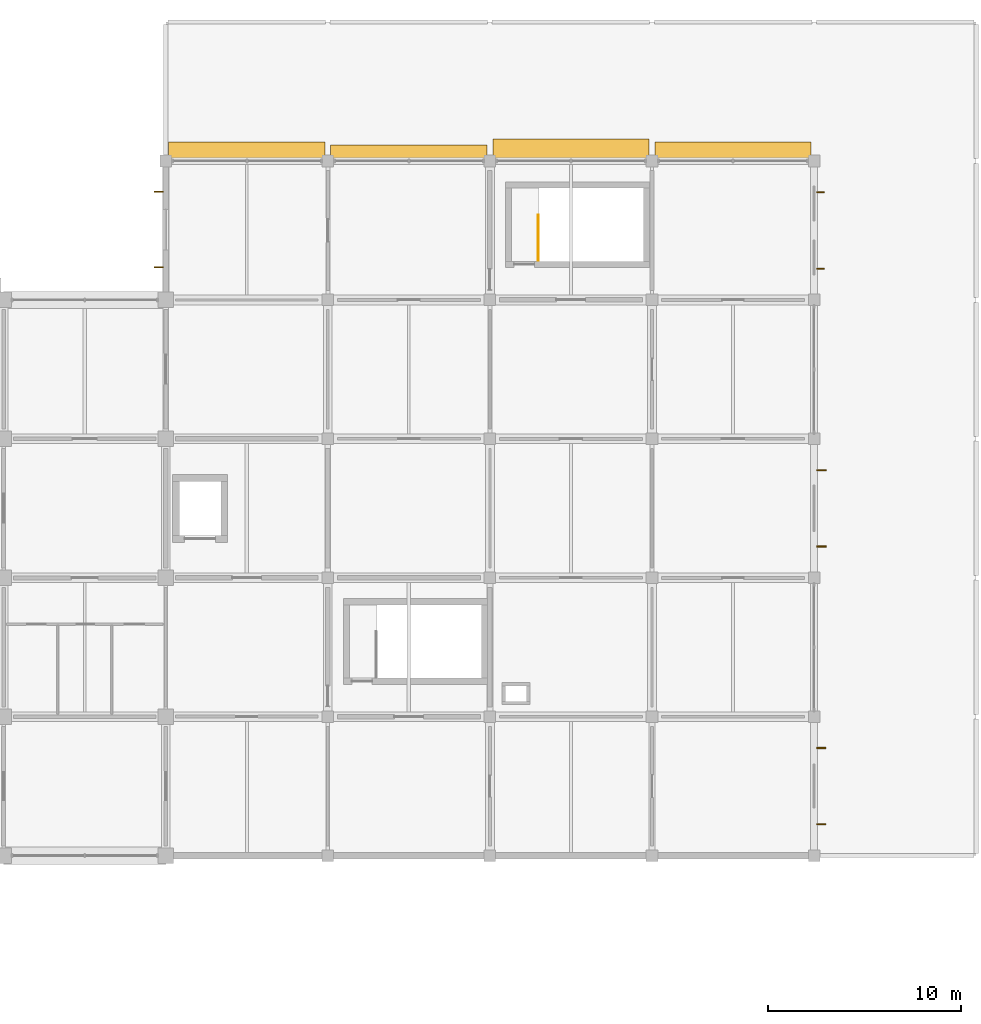
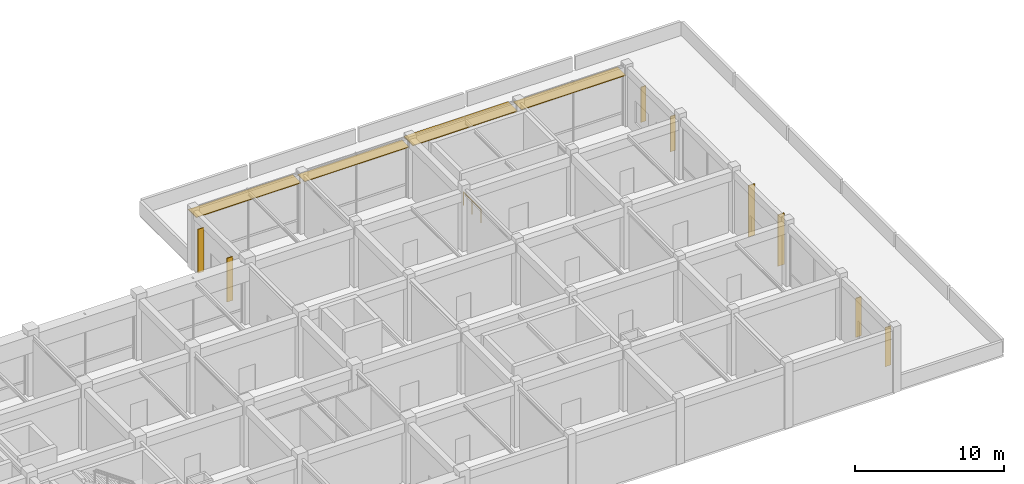
# One storey, part 38 of 38: 12 shading devices, 1 railing.
"""IFC4 building model written with IfcOpenShell, lengths in metres."""

from ifc_helpers import new_model, si_unit, derived_unit, direction, frame, origin, origin_2d, place, context, subcontext, project, spatial, rectangle, circle, extrude, material, layer, layer_set, type_object, element, save


model = new_model("IFC4")

# Units and contexts
model_context = context("Model", 3, precision=1e-05, world=origin(), true_north=direction((0.0, 1.0)))
body_context = subcontext(model_context, "Body", "Model", "MODEL_VIEW")
ifc_project = project(units=[si_unit("LENGTHUNIT", "METRE"), si_unit("AREAUNIT", "SQUARE_METRE"), si_unit("VOLUMEUNIT", "CUBIC_METRE"), si_unit("PLANEANGLEUNIT", "RADIAN"), si_unit("MASSUNIT", "GRAM", prefix="KILO"), derived_unit("THERMALTRANSMITTANCEUNIT", [(si_unit("MASSUNIT", "GRAM", prefix="KILO"), 1), (si_unit("TIMEUNIT", "SECOND"), -3), (si_unit("THERMODYNAMICTEMPERATUREUNIT", "KELVIN"), -1)])], contexts=[model_context])

# Site, building, storey
site_placement = place(None, origin())
site = spatial("IfcSite", under=ifc_project, at=site_placement, CompositionType="ELEMENT")
building_placement = place(site_placement, origin())
building = spatial("IfcBuilding", under=site, at=building_placement, Name="Veldstrom Oceanarium and Marine Research Institute", CompositionType="ELEMENT")
storey_placement = place(building_placement, frame((0.0, 0.0, 16.800048828125)))
storey = spatial("IfcBuildingStorey", under=building, at=storey_placement, Name="L03", CompositionType="ELEMENT", Elevation=16.800048828125)

# Railing
ifc_material_1 = material(Name="Duplex Stainless Steel Balustrade", Category="steel")
ifc_layer_1 = layer(ifc_material_1, 0.06005859375)
ifc_layer_set_1 = layer_set([ifc_layer_1], Name="ARC-RLG-GR1")
railing_type = type_object("IfcRailingType", Name="ARC-RLG-GR1", PredefinedType="GUARDRAIL", material=ifc_layer_set_1)
railing_placement = place(storey_placement, frame((136.89990234375, 74.050048828125, 0.0)))
element("IfcRailing", 1, at=railing_placement, inside=storey, type_object=railing_type, Name="Stair Well Landing Guard ST7 L03", PredefinedType="GUARDRAIL", context=body_context, shape_type="SweptSolid", body=[
    extrude(circle(Radius=0.02392578125, at=origin_2d()), frame((0.0, 0.0, 1.09619140625), z_axis=(0.0, 1.0, 0.0), x_axis=(-1.0, 0.0, 0.0)), (0.0, 0.0, 1.0), 2.349853515625),
    extrude(circle(Radius=0.02099609375, at=origin_2d()), origin(), (0.0, 0.0, 1.0), 1.072021484375),
    extrude(circle(Radius=0.02099609375, at=origin_2d()), frame((0.0, 1.1748046875, 0.0)), (0.0, 0.0, 1.0), 1.072021484375),
    extrude(circle(Radius=0.02099609375, at=origin_2d()), frame((0.0, 2.349853515625, 0.0)), (0.0, 0.0, 1.0), 1.072021484375),
])

# Shading devices
ifc_material_2 = material(Name="Precast Terracotta Brise-Soleil Louvre", Category="masonry")
ifc_layer_2 = layer(ifc_material_2, 3.60009765625)
ifc_layer_set_2 = layer_set([ifc_layer_2], Name="ARC-SHD-BS01")
shading_device_type_1 = type_object("IfcShadingDeviceType", Name="ARC-SHD-BS01", PredefinedType="JALOUSIE", material=ifc_layer_set_2)
for number, where, z_axis, x_axis, name in (
    (2, (117.235107421875, 73.699951171875, 0.6748046875), (0.0, 0.0, 1.0), (1.0, 0.0, 0.0), "Terracotta Brise-Soleil Louvre L03-092"),
    (3, (117.235107421875, 77.60009765625, 0.6748046875), (0.0, 0.0, 1.0), (1.0, 0.0, 0.0), "Terracotta Brise-Soleil Louvre L03-092"),
):
    element("IfcShadingDevice", number, at=place(storey_placement, frame(where, z_axis=z_axis, x_axis=x_axis)), inside=storey, type_object=shading_device_type_1, Name=name, PredefinedType="JALOUSIE", context=body_context, shape_type="SweptSolid", body=[
        extrude(rectangle(XDim=0.449951171875, YDim=0.06005859375, at=origin_2d()), origin(), (0.0, 0.0, 1.0), 3.60009765625),
    ])
ifc_material_3 = material(Name="Precast Terracotta Brise-Soleil Louvre", Category="masonry")
ifc_layer_3 = layer(ifc_material_3, 3.199951171875)
ifc_layer_set_3 = layer_set([ifc_layer_3], Name="ARC-SHD-BS02")
shading_device_type_2 = type_object("IfcShadingDeviceType", Name="ARC-SHD-BS02", PredefinedType="JALOUSIE", material=ifc_layer_set_3)
for number, where, z_axis, x_axis, name in (
    (4, (151.574951171875, 44.820068359375, 0.875), (0.0, 0.0, 1.0), (1.0, 0.0, 0.0), "Terracotta Brise-Soleil Louvre L03-093"),
    (5, (151.574951171875, 48.780029296875, 0.875), (0.0, 0.0, 1.0), (1.0, 0.0, 0.0), "Terracotta Brise-Soleil Louvre L03-093"),
):
    element("IfcShadingDevice", number, at=place(storey_placement, frame(where, z_axis=z_axis, x_axis=x_axis)), inside=storey, type_object=shading_device_type_2, Name=name, PredefinedType="JALOUSIE", context=body_context, shape_type="SweptSolid", body=[
        extrude(rectangle(XDim=0.449951171875, YDim=0.06005859375, at=origin_2d()), origin(), (0.0, 0.0, 1.0), 3.199951171875),
    ])
ifc_material_4 = material(Name="Precast Terracotta Brise-Soleil Louvre", Category="masonry")
ifc_layer_4 = layer(ifc_material_4, 4.199951171875)
ifc_layer_set_4 = layer_set([ifc_layer_4], Name="ARC-SHD-BS03")
shading_device_type_3 = type_object("IfcShadingDeviceType", Name="ARC-SHD-BS03", PredefinedType="JALOUSIE", material=ifc_layer_set_4)
for number, where, z_axis, x_axis, name in (
    (6, (151.590087890625, 59.219970703125, 0.375), (0.0, 0.0, 1.0), (1.0, 0.0, 0.0), "Terracotta Brise-Soleil Louvre L03-094"),
    (7, (151.590087890625, 63.179931640625, 0.375), (0.0, 0.0, 1.0), (1.0, 0.0, 0.0), "Terracotta Brise-Soleil Louvre L03-094"),
):
    element("IfcShadingDevice", number, at=place(storey_placement, frame(where, z_axis=z_axis, x_axis=x_axis)), inside=storey, type_object=shading_device_type_3, Name=name, PredefinedType="JALOUSIE", context=body_context, shape_type="SweptSolid", body=[
        extrude(rectangle(XDim=0.5, YDim=0.06494140625, at=origin_2d()), origin(), (0.0, 0.0, 1.0), 4.199951171875),
    ])
ifc_material_5 = material(Name="Precast Terracotta Brise-Soleil Louvre", Category="masonry")
ifc_layer_5 = layer(ifc_material_5, 2.89990234375)
ifc_layer_set_5 = layer_set([ifc_layer_5], Name="ARC-SHD-BS04")
shading_device_type_4 = type_object("IfcShadingDeviceType", Name="ARC-SHD-BS04", PredefinedType="JALOUSIE", material=ifc_layer_set_5)
for number, where, z_axis, x_axis, name in (
    (8, (151.530029296875, 73.6201171875, 1.02490234375), (0.0, 0.0, 1.0), (1.0, 0.0, 0.0), "Terracotta Brise-Soleil Louvre L03-095"),
    (9, (151.530029296875, 77.580078125, 1.02490234375), (0.0, 0.0, 1.0), (1.0, 0.0, 0.0), "Terracotta Brise-Soleil Louvre L03-095"),
):
    element("IfcShadingDevice", number, at=place(storey_placement, frame(where, z_axis=z_axis, x_axis=x_axis)), inside=storey, type_object=shading_device_type_4, Name=name, PredefinedType="JALOUSIE", context=body_context, shape_type="SweptSolid", body=[
        extrude(rectangle(XDim=0.39990234375, YDim=0.054931640625, at=origin_2d()), origin(), (0.0, 0.0, 1.0), 2.89990234375),
    ])
ifc_material_6 = material(Name="Perforated Anodised Aluminium Louvre", Category="aluminium")
ifc_layer_6 = layer(ifc_material_6, 0.054931640625)
ifc_layer_set_6 = layer_set([ifc_layer_6], Name="ARC-SHD-SH01")
shading_device_type_5 = type_object("IfcShadingDeviceType", Name="ARC-SHD-SH01", PredefinedType="AWNING", material=ifc_layer_set_6)
shading_device_1_placement = place(storey_placement, frame((138.60009765625, 79.705078125, 4.0498046875), z_axis=(0.0, 0.0, 1.0), x_axis=(1.0, 0.0, 0.0)))
element("IfcShadingDevice", 10, at=shading_device_1_placement, inside=storey, type_object=shading_device_type_5, Name="North Solar Canopy Louvre L03-17", PredefinedType="AWNING", context=body_context, shape_type="SweptSolid", body=[
    extrude(rectangle(XDim=8.10009765625, YDim=1.25, at=origin_2d()), origin(), (0.0, 0.0, 1.0), 0.054931640625),
])
ifc_material_7 = material(Name="Perforated Anodised Aluminium Louvre", Category="aluminium")
ifc_layer_7 = layer(ifc_material_7, 0.050048828125)
ifc_layer_set_7 = layer_set([ifc_layer_7], Name="ARC-SHD-SH02")
shading_device_type_6 = type_object("IfcShadingDeviceType", Name="ARC-SHD-SH02", PredefinedType="AWNING", material=ifc_layer_set_7)
for number, where, z_axis, x_axis, name in (
    (11, (121.800048828125, 79.6298828125, 4.0498046875), (0.0, 0.0, 1.0), (1.0, 0.0, 0.0), "North Solar Canopy Louvre L03-15"),
    (12, (147.0, 79.6298828125, 4.0498046875), (0.0, 0.0, 1.0), (1.0, 0.0, 0.0), "North Solar Canopy Louvre L03-18"),
):
    element("IfcShadingDevice", number, at=place(storey_placement, frame(where, z_axis=z_axis, x_axis=x_axis)), inside=storey, type_object=shading_device_type_6, Name=name, PredefinedType="AWNING", context=body_context, shape_type="SweptSolid", body=[
        extrude(rectangle(XDim=8.10009765625, YDim=1.10009765625, at=origin_2d()), origin(), (0.0, 0.0, 1.0), 0.050048828125),
    ])
ifc_material_8 = material(Name="Perforated Anodised Aluminium Louvre", Category="aluminium")
ifc_layer_8 = layer(ifc_material_8, 0.044921875)
ifc_layer_set_8 = layer_set([ifc_layer_8], Name="ARC-SHD-SH03")
shading_device_type_7 = type_object("IfcShadingDeviceType", Name="ARC-SHD-SH03", PredefinedType="AWNING", material=ifc_layer_set_8)
shading_device_2_placement = place(storey_placement, frame((130.199951171875, 79.554931640625, 4.050048828125), z_axis=(0.0, 0.0, 1.0), x_axis=(1.0, 0.0, 0.0)))
element("IfcShadingDevice", 13, at=shading_device_2_placement, inside=storey, type_object=shading_device_type_7, Name="North Solar Canopy Louvre L03-16", PredefinedType="AWNING", context=body_context, shape_type="SweptSolid", body=[
    extrude(rectangle(XDim=8.10009765625, YDim=0.949951171875, at=origin_2d()), origin(), (0.0, 0.0, 1.0), 0.044921875),
])

save(model, "model.ifc")
